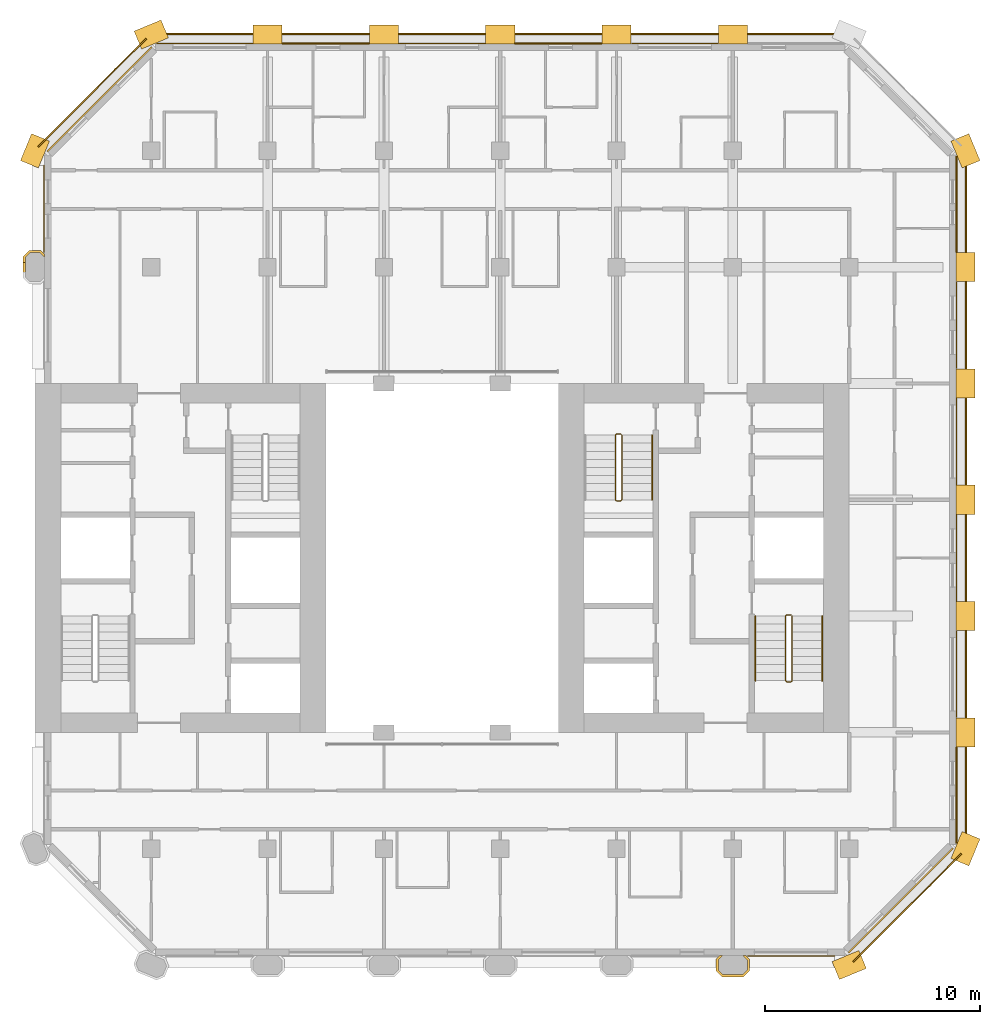
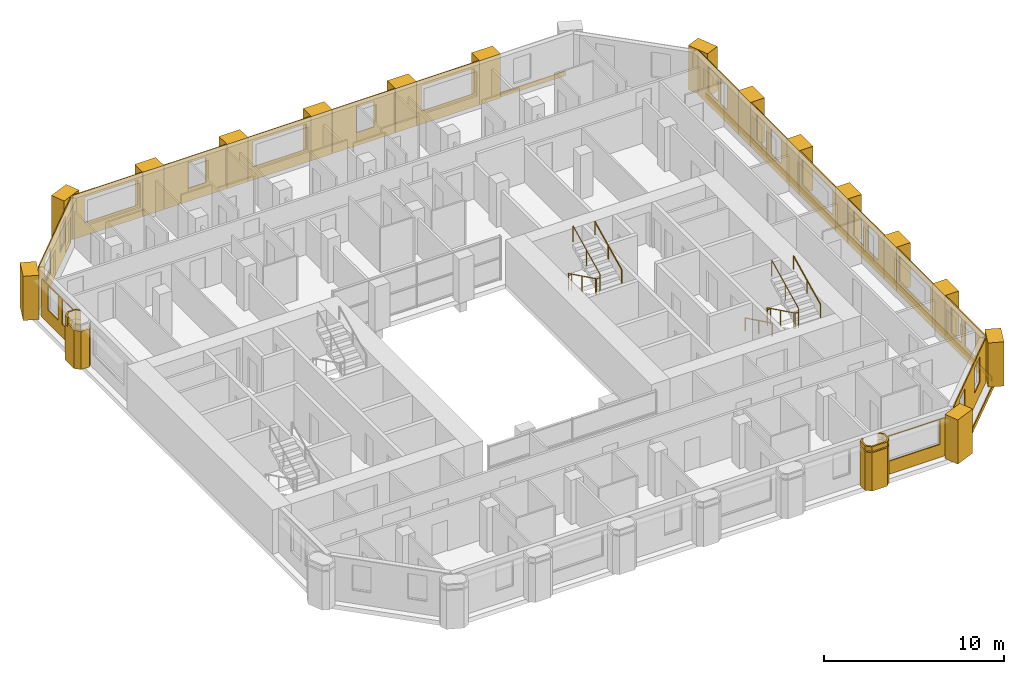
# One storey, part 12 of 13: 38 coverings, 5 railings.
"""IFC4 building model written with IfcOpenShell, lengths in metres."""

from ifc_helpers import new_model, si_unit, direction, frame, frame_2d, origin, origin_2d, place, context, subcontext, project, spatial, polyline, rectangle, circle, outline, extrude, material, layer, layer_set, type_object, element, save


model = new_model("IFC4")

# Units and contexts
model_context = context("Model", 3, precision=1e-05, world=origin(), true_north=direction((0.0, 1.0)))
body_context = subcontext(model_context, "Body", "Model", "MODEL_VIEW")
ifc_project = project(units=[si_unit("LENGTHUNIT", "METRE"), si_unit("AREAUNIT", "SQUARE_METRE"), si_unit("VOLUMEUNIT", "CUBIC_METRE"), si_unit("PLANEANGLEUNIT", "RADIAN"), si_unit("MASSUNIT", "GRAM", prefix="KILO")], contexts=[model_context])

# Site, building, storey
site_placement = place(None, origin())
site = spatial("IfcSite", under=ifc_project, at=site_placement, CompositionType="ELEMENT")
building_placement = place(site_placement, origin())
building = spatial("IfcBuilding", under=site, at=building_placement, Name="Tabaq Tower and Sports Hall", CompositionType="ELEMENT")
storey_placement = place(building_placement, frame((0.0, 0.0, 203.800048828125)))
storey = spatial("IfcBuildingStorey", under=building, at=storey_placement, Name="L50", CompositionType="ELEMENT", Elevation=203.800048828125)

# Coverings
ifc_material_1 = material(Name="Precast concrete C60/75", Category="concrete")
ifc_layer_1 = layer(ifc_material_1, 0.10009765625)
ifc_layer_set_1 = layer_set([ifc_layer_1], Name="Column cladding 100")
covering_type_1 = type_object("IfcCoveringType", Name="Column cladding 100", PredefinedType="CLADDING", material=ifc_layer_set_1)
covering_1_placement = place(storey_placement, origin())
element("IfcCovering", 1, at=covering_1_placement, inside=storey, type_object=covering_type_1, Name="Column cladding L50 PC-2H-H2", PredefinedType="CLADDING", context=body_context, shape_type="SweptSolid", body=[
    extrude(outline(polyline([(5.1337890625, 37.025390625), (4.850341796875, 37.30859375), (4.850341796875, 38.291259765625), (5.1337890625, 38.57470703125), (5.666259765625, 38.57470703125), (5.849609375, 38.391357421875), (5.849609375, 38.250732421875), (5.625244140625, 38.475341796875), (5.1748046875, 38.475341796875), (4.94970703125, 38.250244140625), (4.94970703125, 37.349853515625), (5.1748046875, 37.124755859375), (5.625244140625, 37.124755859375), (5.849609375, 37.349365234375), (5.849609375, 37.208740234375), (5.666259765625, 37.025390625), (5.1337890625, 37.025390625)])), origin(), (0.0, 0.0, 1.0), 2.599853515625),
])
covering_2_placement = place(storey_placement, frame((0.0, 0.0, 2.39990234375)))
element("IfcCovering", 2, at=covering_2_placement, inside=storey, type_object=covering_type_1, Name="Column cladding L50 PC-2H-H2 head 2", PredefinedType="CLADDING", context=body_context, shape_type="SweptSolid", body=[
    extrude(outline(polyline([(4.850341796875, 38.291259765625), (5.1337890625, 38.57470703125), (5.666259765625, 38.57470703125), (5.849609375, 38.391357421875), (5.849609375, 38.250732421875), (5.625244140625, 38.475341796875), (5.1748046875, 38.475341796875), (4.94970703125, 38.250244140625), (4.94970703125, 38.025390625), (4.850341796875, 38.025390625), (4.850341796875, 38.291259765625)])), origin(), (0.0, 0.0, 1.0), 0.60009765625),
])
covering_3_placement = place(storey_placement, origin())
element("IfcCovering", 3, at=covering_3_placement, inside=storey, type_object=covering_type_1, Name="Column cladding L50 PC-8B-H2", PredefinedType="CLADDING", context=body_context, shape_type="SweptSolid", body=[
    extrude(outline(polyline([(37.025390625, 5.666259765625), (37.208740234375, 5.849609375), (37.349365234375, 5.849609375), (37.124755859375, 5.625244140625), (37.124755859375, 5.1748046875), (37.349853515625, 4.94970703125), (38.250244140625, 4.94970703125), (38.475341796875, 5.1748046875), (38.475341796875, 5.625244140625), (38.250732421875, 5.849609375), (38.391357421875, 5.849609375), (38.57470703125, 5.666259765625), (38.57470703125, 5.1337890625), (38.291259765625, 4.850341796875), (37.30859375, 4.850341796875), (37.025390625, 5.1337890625), (37.025390625, 5.666259765625)])), origin(), (0.0, 0.0, 1.0), 2.599853515625),
])
covering_4_placement = place(storey_placement, frame((0.0, 0.0, 2.699951171875)))
element("IfcCovering", 4, at=covering_4_placement, inside=storey, type_object=covering_type_1, Name="Column cladding L50 PC-8B-H2 2", PredefinedType="CLADDING", context=body_context, shape_type="SweptSolid", body=[
    extrude(outline(polyline([(37.025390625, 5.666259765625), (37.208740234375, 5.849609375), (37.349365234375, 5.849609375), (37.124755859375, 5.625244140625), (37.124755859375, 5.1748046875), (37.349853515625, 4.94970703125), (38.250244140625, 4.94970703125), (38.475341796875, 5.1748046875), (38.475341796875, 5.625244140625), (38.250732421875, 5.849609375), (38.391357421875, 5.849609375), (38.57470703125, 5.666259765625), (38.57470703125, 5.1337890625), (38.291259765625, 4.850341796875), (37.30859375, 4.850341796875), (37.025390625, 5.1337890625), (37.025390625, 5.666259765625)])), origin(), (0.0, 0.0, 1.0), 0.300048828125),
])
ifc_material_2 = material(Name="Precast concrete C60/75", Category="concrete")
ifc_layer_2 = layer(ifc_material_2, 0.06005859375)
ifc_layer_set_2 = layer_set([ifc_layer_2], Name="Edge beam cladding 60")
covering_type_2 = type_object("IfcCoveringType", Name="Edge beam cladding 60", PredefinedType="CLADDING", material=ifc_layer_set_2)
covering_5_placement = place(storey_placement, frame((43.39794921875, 5.5556640625, -0.300048828125), z_axis=(0.0, 0.0, 1.0), x_axis=(0.707124002701, 0.707089559252, 0.0)))
element("IfcCovering", 5, at=covering_5_placement, inside=storey, type_object=covering_type_2, Name="Edge beam cladding L50 1", PredefinedType="CLADDING", context=body_context, shape_type="SweptSolid", body=[
    extrude(rectangle(XDim=7.088134765625, YDim=0.06005859375, at=frame_2d((3.5439453125, 0.0))), origin(), (0.0, 0.0, 1.0), 0.300048828125),
])
for number, where, z_axis, x_axis, name in (
    (6, (48.6298828125, 11.0986328125, -0.300048828125), (0.0, 0.0, 1.0), (0.0, 1.0, 0.0), "Edge beam cladding L50 2"),
    (7, (42.9013671875, 48.6298828125, -0.300048828125), (0.0, 0.0, 1.0), (-1.0, 0.0, 0.0), "Edge beam cladding L50 4"),
):
    element("IfcCovering", number, at=place(storey_placement, frame(where, z_axis=z_axis, x_axis=x_axis)), inside=storey, type_object=covering_type_2, Name=name, PredefinedType="CLADDING", context=body_context, shape_type="SweptSolid", body=[
        extrude(rectangle(XDim=31.802734375, YDim=0.06005859375, at=frame_2d((15.9013671875, 0.0))), origin(), (0.0, 0.0, 1.0), 0.300048828125),
    ])
covering_6_placement = place(storey_placement, frame((10.567626953125, 48.41015625, -0.300048828125), z_axis=(0.0, 0.0, 1.0), x_axis=(-0.707089559252, -0.707124002701, 0.0)))
element("IfcCovering", 8, at=covering_6_placement, inside=storey, type_object=covering_type_2, Name="Edge beam cladding L50 5", PredefinedType="CLADDING", context=body_context, shape_type="SweptSolid", body=[
    extrude(rectangle(XDim=7.088134765625, YDim=0.06005859375, at=frame_2d((3.5439453125, 0.0))), origin(), (0.0, 0.0, 1.0), 0.300048828125),
])
ifc_material_3 = material(Name="White precast concrete C60/75", Category="concrete")
covering_type_3 = type_object("IfcCoveringType", Name="Pier cladding hung 1350x900", PredefinedType="CLADDING", material=ifc_material_3)
for number, where, z_axis, x_axis, name in (
    (9, (5.658203125, 43.82373046875, 0.0), (0.0, 0.0, 1.0), (-0.382649923473, -0.923893411637, 0.0), "Hung pier cladding 1/8"),
    (10, (11.423583984375, 48.8583984375, 0.0), (0.0, 0.0, 1.0), (-0.923893411637, -0.382649923473, 0.0), "Hung pier cladding 2/9"),
    (11, (16.875, 48.60009765625, 0.0), (0.0, 0.0, 1.0), (-1.0, 0.0, 0.0), "Hung pier cladding 3/9"),
):
    element("IfcCovering", number, at=place(storey_placement, frame(where, z_axis=z_axis, x_axis=x_axis)), inside=storey, type_object=covering_type_3, Name=name, PredefinedType="CLADDING", context=body_context, shape_type="SweptSolid", body=[
        extrude(rectangle(XDim=1.35009765625, YDim=0.89990234375, at=frame_2d((0.675048828125, 0.0))), origin(), (0.0, 0.0, 1.0), 3.0),
    ])
covering_7_placement = place(storey_placement, frame((22.27490234375, 48.60009765625, 0.0), z_axis=(0.0, 0.0, 1.0), x_axis=(-1.0, 0.0, 0.0)))
element("IfcCovering", 12, at=covering_7_placement, inside=storey, type_object=covering_type_3, Name="Hung pier cladding 4/9", PredefinedType="CLADDING", context=body_context, shape_type="SweptSolid", body=[
    extrude(rectangle(XDim=1.349853515625, YDim=0.89990234375, at=frame_2d((0.6748046875, 0.0))), origin(), (0.0, 0.0, 1.0), 3.0),
])
covering_8_placement = place(storey_placement, frame((27.675048828125, 48.60009765625, 0.0), z_axis=(0.0, 0.0, 1.0), x_axis=(-1.0, 0.0, 0.0)))
element("IfcCovering", 13, at=covering_8_placement, inside=storey, type_object=covering_type_3, Name="Hung pier cladding 5/9", PredefinedType="CLADDING", context=body_context, shape_type="SweptSolid", body=[
    extrude(rectangle(XDim=1.35009765625, YDim=0.89990234375, at=frame_2d((0.675048828125, 0.0))), origin(), (0.0, 0.0, 1.0), 3.0),
])
covering_9_placement = place(storey_placement, frame((33.074951171875, 48.60009765625, 0.0), z_axis=(0.0, 0.0, 1.0), x_axis=(-1.0, 0.0, 0.0)))
element("IfcCovering", 14, at=covering_9_placement, inside=storey, type_object=covering_type_3, Name="Hung pier cladding 6/9", PredefinedType="CLADDING", context=body_context, shape_type="SweptSolid", body=[
    extrude(rectangle(XDim=1.349853515625, YDim=0.89990234375, at=frame_2d((0.6748046875, 0.0))), origin(), (0.0, 0.0, 1.0), 3.0),
])
for number, where, z_axis, x_axis, name in (
    (15, (38.47509765625, 48.60009765625, 0.0), (0.0, 0.0, 1.0), (-1.0, 0.0, 0.0), "Hung pier cladding 7/9"),
    (16, (42.576416015625, 5.1416015625, 0.0), (0.0, 0.0, 1.0), (0.923893411637, 0.382649923473, 0.0), "Hung pier cladding 8/1"),
    (17, (48.341796875, 10.17626953125, 0.0), (0.0, 0.0, 1.0), (0.382649923473, 0.923893411637, 0.0), "Hung pier cladding 9/2"),
    (18, (48.60009765625, 15.52490234375, 0.0), (0.0, 0.0, 1.0), (0.0, 1.0, 0.0), "Hung pier cladding 9/3"),
):
    element("IfcCovering", number, at=place(storey_placement, frame(where, z_axis=z_axis, x_axis=x_axis)), inside=storey, type_object=covering_type_3, Name=name, PredefinedType="CLADDING", context=body_context, shape_type="SweptSolid", body=[
        extrude(rectangle(XDim=1.35009765625, YDim=0.89990234375, at=frame_2d((0.675048828125, 0.0))), origin(), (0.0, 0.0, 1.0), 3.0),
    ])
covering_10_placement = place(storey_placement, frame((48.60009765625, 20.925048828125, 0.0), z_axis=(0.0, 0.0, 1.0), x_axis=(0.0, 1.0, 0.0)))
element("IfcCovering", 19, at=covering_10_placement, inside=storey, type_object=covering_type_3, Name="Hung pier cladding 9/4", PredefinedType="CLADDING", context=body_context, shape_type="SweptSolid", body=[
    extrude(rectangle(XDim=1.349853515625, YDim=0.89990234375, at=frame_2d((0.6748046875, 0.0))), origin(), (0.0, 0.0, 1.0), 3.0),
])
covering_11_placement = place(storey_placement, frame((48.60009765625, 26.324951171875, 0.0), z_axis=(0.0, 0.0, 1.0), x_axis=(0.0, 1.0, 0.0)))
element("IfcCovering", 20, at=covering_11_placement, inside=storey, type_object=covering_type_3, Name="Hung pier cladding 9/5", PredefinedType="CLADDING", context=body_context, shape_type="SweptSolid", body=[
    extrude(rectangle(XDim=1.35009765625, YDim=0.89990234375, at=frame_2d((0.675048828125, 0.0))), origin(), (0.0, 0.0, 1.0), 3.0),
])
covering_12_placement = place(storey_placement, frame((48.60009765625, 31.72509765625, 0.0), z_axis=(0.0, 0.0, 1.0), x_axis=(0.0, 1.0, 0.0)))
element("IfcCovering", 21, at=covering_12_placement, inside=storey, type_object=covering_type_3, Name="Hung pier cladding 9/6", PredefinedType="CLADDING", context=body_context, shape_type="SweptSolid", body=[
    extrude(rectangle(XDim=1.349853515625, YDim=0.89990234375, at=frame_2d((0.6748046875, 0.0))), origin(), (0.0, 0.0, 1.0), 3.0),
])
for number, where, z_axis, x_axis, name in (
    (22, (48.60009765625, 37.125, 0.0), (0.0, 0.0, 1.0), (0.0, 1.0, 0.0), "Hung pier cladding 9/7"),
    (23, (48.8583984375, 42.576416015625, 0.0), (0.0, 0.0, 1.0), (-0.382649923473, 0.923893411637, 0.0), "Hung pier cladding 9/8"),
):
    element("IfcCovering", number, at=place(storey_placement, frame(where, z_axis=z_axis, x_axis=x_axis)), inside=storey, type_object=covering_type_3, Name=name, PredefinedType="CLADDING", context=body_context, shape_type="SweptSolid", body=[
        extrude(rectangle(XDim=1.35009765625, YDim=0.89990234375, at=frame_2d((0.675048828125, 0.0))), origin(), (0.0, 0.0, 1.0), 3.0),
    ])

# Railings
ifc_material_4 = material(Name="Stainless steel", Category="steel")
railing_type_1 = type_object("IfcRailingType", Name="Stair guard", PredefinedType="GUARDRAIL", material=ifc_material_4)
railing_1_placement = place(storey_placement, frame((40.5, 21.64990234375, 0.0)))
element("IfcRailing", 24, at=railing_1_placement, inside=storey, type_object=railing_type_1, Name="L50 ST3 stair guard 1", PredefinedType="GUARDRAIL", context=body_context, shape_type="SweptSolid", body=[
    extrude(circle(Radius=0.02392578125, at=origin_2d()), frame((0.0, 0.0, 1.076171875), z_axis=(-1.0, 0.0, 0.0), x_axis=(0.0, -1.0, 0.0)), (0.0, 0.0, 1.0), 0.199951171875),
    extrude(circle(Radius=0.02392578125, at=origin_2d()), frame((-0.199951171875, 0.0, 1.076171875), z_axis=(-0.254733673405, -0.25349107012, 0.933195066962), x_axis=(0.705375805398, -0.708833529934, 0.0)), (0.0, 0.0, 1.0), 0.196533203125),
    extrude(circle(Radius=0.02392578125, at=origin_2d()), frame((-0.25, -0.0498046875, 1.25927734375), z_axis=(0.0, -0.898397823093, 0.439182594671), x_axis=(1.0, 0.0, 0.0)), (0.0, 0.0, 1.0), 3.33935546875),
    extrude(circle(Radius=0.02392578125, at=origin_2d()), frame((-0.25, -3.0498046875, 2.72607421875), z_axis=(0.707106781187, -0.707106781187, 0.0), x_axis=(0.707106781187, 0.707106781187, 0.0)), (0.0, 0.0, 1.0), 0.07080078125),
    extrude(circle(Radius=0.02392578125, at=origin_2d()), frame((-0.199951171875, -3.099853515625, 2.72607421875), z_axis=(1.0, 0.0, 0.0), x_axis=(0.0, 1.0, 0.0)), (0.0, 0.0, 1.0), 0.199951171875),
    extrude(circle(Radius=0.02392578125, at=origin_2d()), frame((0.0, -3.099853515625, 2.72607421875), z_axis=(0.254653276557, 0.254653276557, 0.932900539971), x_axis=(-0.707106781187, 0.707106781187, 0.0)), (0.0, 0.0, 1.0), 0.196533203125),
    extrude(circle(Radius=0.02392578125, at=origin_2d()), frame((0.050048828125, -3.0498046875, 2.9091796875), z_axis=(0.0, 0.898368975038, 0.439241601728), x_axis=(-1.0, 0.0, 0.0)), (0.0, 0.0, 1.0), 3.33935546875),
    extrude(circle(Radius=0.02099609375, at=origin_2d()), origin(), (0.0, 0.0, 1.0), 1.052001953125),
    extrude(circle(Radius=0.02099609375, at=origin_2d()), frame((-0.199951171875, 0.0, 0.0)), (0.0, 0.0, 1.0), 1.052001953125),
    extrude(circle(Radius=0.02099609375, at=origin_2d()), frame((-0.25, -0.0498046875, 0.183349609375)), (0.0, 0.0, 1.0), 1.052001953125),
    extrude(circle(Radius=0.02099609375, at=origin_2d()), frame((-0.25, -1.5498046875, 0.91650390625)), (0.0, 0.0, 1.0), 1.052001953125),
    extrude(circle(Radius=0.02099609375, at=origin_2d()), frame((-0.25, -3.0498046875, 1.64990234375)), (0.0, 0.0, 1.0), 1.052001953125),
    extrude(circle(Radius=0.02099609375, at=origin_2d()), frame((-0.199951171875, -3.099853515625, 1.64990234375)), (0.0, 0.0, 1.0), 1.052001953125),
    extrude(circle(Radius=0.02099609375, at=origin_2d()), frame((0.0, -3.099853515625, 1.64990234375)), (0.0, 0.0, 1.0), 1.052001953125),
    extrude(circle(Radius=0.02099609375, at=origin_2d()), frame((0.050048828125, -3.0498046875, 1.833251953125)), (0.0, 0.0, 1.0), 1.052001953125),
    extrude(circle(Radius=0.02099609375, at=origin_2d()), frame((0.050048828125, -1.5498046875, 2.566650390625)), (0.0, 0.0, 1.0), 1.052001953125),
    extrude(circle(Radius=0.02099609375, at=origin_2d()), frame((0.050048828125, -0.0498046875, 3.300048828125)), (0.0, 0.0, 1.0), 1.052001953125),
])
railing_2_placement = place(storey_placement, frame((32.60009765625, 30.050048828125, 0.0)))
element("IfcRailing", 25, at=railing_2_placement, inside=storey, type_object=railing_type_1, Name="L50 ST4 stair guard 1", PredefinedType="GUARDRAIL", context=body_context, shape_type="SweptSolid", body=[
    extrude(circle(Radius=0.02392578125, at=origin_2d()), frame((0.0, 0.0, 1.076171875), z_axis=(-1.0, 0.0, 0.0), x_axis=(0.0, -1.0, 0.0)), (0.0, 0.0, 1.0), 0.2001953125),
    extrude(circle(Radius=0.02392578125, at=origin_2d()), frame((-0.2001953125, 0.0, 1.076171875), z_axis=(-0.25349107012, -0.254733673405, 0.933195066962), x_axis=(0.708833529934, -0.705375805398, 0.0)), (0.0, 0.0, 1.0), 0.196533203125),
    extrude(circle(Radius=0.02392578125, at=origin_2d()), frame((-0.25, -0.050048828125, 1.25927734375), z_axis=(0.0, -0.898397823093, 0.439182594671), x_axis=(1.0, 0.0, 0.0)), (0.0, 0.0, 1.0), 3.33935546875),
    extrude(circle(Radius=0.02392578125, at=origin_2d()), frame((-0.25, -3.050048828125, 2.72607421875), z_axis=(0.705375805398, -0.708833529934, 0.0), x_axis=(0.708833529934, 0.705375805398, 0.0)), (0.0, 0.0, 1.0), 0.070556640625),
    extrude(circle(Radius=0.02392578125, at=origin_2d()), frame((-0.2001953125, -3.10009765625, 2.72607421875), z_axis=(1.0, 0.0, 0.0), x_axis=(0.0, 1.0, 0.0)), (0.0, 0.0, 1.0), 0.2001953125),
    extrude(circle(Radius=0.02392578125, at=origin_2d()), frame((0.0, -3.10009765625, 2.72607421875), z_axis=(0.25349107012, 0.254733673405, 0.933195066962), x_axis=(-0.708833529934, 0.705375805398, 0.0)), (0.0, 0.0, 1.0), 0.196533203125),
    extrude(circle(Radius=0.02392578125, at=origin_2d()), frame((0.0498046875, -3.050048828125, 2.9091796875), z_axis=(0.0, 0.898368975038, 0.439241601728), x_axis=(-1.0, 0.0, 0.0)), (0.0, 0.0, 1.0), 3.33935546875),
    extrude(circle(Radius=0.02099609375, at=origin_2d()), origin(), (0.0, 0.0, 1.0), 1.052001953125),
    extrude(circle(Radius=0.02099609375, at=origin_2d()), frame((-0.2001953125, 0.0, 0.0)), (0.0, 0.0, 1.0), 1.052001953125),
    extrude(circle(Radius=0.02099609375, at=origin_2d()), frame((-0.25, -0.050048828125, 0.183349609375)), (0.0, 0.0, 1.0), 1.052001953125),
    extrude(circle(Radius=0.02099609375, at=origin_2d()), frame((-0.25, -1.550048828125, 0.91650390625)), (0.0, 0.0, 1.0), 1.052001953125),
    extrude(circle(Radius=0.02099609375, at=origin_2d()), frame((-0.25, -3.050048828125, 1.64990234375)), (0.0, 0.0, 1.0), 1.052001953125),
    extrude(circle(Radius=0.02099609375, at=origin_2d()), frame((-0.2001953125, -3.10009765625, 1.64990234375)), (0.0, 0.0, 1.0), 1.052001953125),
    extrude(circle(Radius=0.02099609375, at=origin_2d()), frame((0.0, -3.10009765625, 1.64990234375)), (0.0, 0.0, 1.0), 1.052001953125),
    extrude(circle(Radius=0.02099609375, at=origin_2d()), frame((0.0498046875, -3.050048828125, 1.833251953125)), (0.0, 0.0, 1.0), 1.052001953125),
    extrude(circle(Radius=0.02099609375, at=origin_2d()), frame((0.0498046875, -1.550048828125, 2.566650390625)), (0.0, 0.0, 1.0), 1.052001953125),
    extrude(circle(Radius=0.02099609375, at=origin_2d()), frame((0.0498046875, -0.050048828125, 3.300048828125)), (0.0, 0.0, 1.0), 1.052001953125),
])
ifc_material_5 = material(Name="Stainless steel", Category="steel")
railing_type_2 = type_object("IfcRailingType", Name="Stair handrail", PredefinedType="HANDRAIL", material=ifc_material_5)
railing_3_placement = place(storey_placement, frame((38.85009765625, 21.60009765625, 0.183349609375)))
element("IfcRailing", 26, at=railing_3_placement, inside=storey, type_object=railing_type_2, Name="L50 ST3 stair handrail 1", PredefinedType="HANDRAIL", context=body_context, shape_type="SweptSolid", body=[
    extrude(circle(Radius=0.02392578125, at=origin_2d()), frame((0.0, 0.0, 0.8759765625), z_axis=(0.0, -0.898397823093, 0.439182594671), x_axis=(1.0, 0.0, 0.0)), (0.0, 0.0, 1.0), 3.33935546875),
    extrude(circle(Radius=0.02099609375, at=origin_2d()), origin(), (0.0, 0.0, 1.0), 0.851806640625),
    extrude(circle(Radius=0.02099609375, at=origin_2d()), frame((0.0, -1.5, 0.7333984375)), (0.0, 0.0, 1.0), 0.851806640625),
    extrude(circle(Radius=0.02099609375, at=origin_2d()), frame((0.0, -3.0, 1.466552734375)), (0.0, 0.0, 1.0), 0.851806640625),
])
for number, where, name in (
    (27, (41.949951171875, 18.60009765625, 1.833251953125), "L50 ST3 stair handrail 2"),
    (28, (34.050048828125, 27.0, 1.833251953125), "L50 ST4 stair handrail 2"),
):
    element("IfcRailing", number, at=place(storey_placement, frame(where)), inside=storey, type_object=railing_type_2, Name=name, PredefinedType="HANDRAIL", context=body_context, shape_type="SweptSolid", body=[
        extrude(circle(Radius=0.02392578125, at=origin_2d()), frame((0.0, 0.0, 0.8759765625), z_axis=(0.0, 0.898368975038, 0.439241601728), x_axis=(-1.0, 0.0, 0.0)), (0.0, 0.0, 1.0), 3.33935546875),
        extrude(circle(Radius=0.02099609375, at=origin_2d()), origin(), (0.0, 0.0, 1.0), 0.851806640625),
        extrude(circle(Radius=0.02099609375, at=origin_2d()), frame((0.0, 1.5, 0.7333984375)), (0.0, 0.0, 1.0), 0.851806640625),
        extrude(circle(Radius=0.02099609375, at=origin_2d()), frame((0.0, 3.0, 1.466796875)), (0.0, 0.0, 1.0), 0.851806640625),
    ])

# Coverings
ifc_material_6 = material(Name="Precast concrete C60/75", Category="concrete")
ifc_layer_3 = layer(ifc_material_6, 0.06005859375)
ifc_layer_set_3 = layer_set([ifc_layer_3], Name="White precast cladding panel 60 C60/75")
covering_type_4 = type_object("IfcCoveringType", Name="White precast cladding panel 60 C60/75", PredefinedType="CLADDING", material=ifc_layer_set_3)
covering_13_placement = place(storey_placement, frame((38.485107421875, 5.820068359375, 0.0), z_axis=(0.0, 0.0, 1.0), x_axis=(1.0, 0.0, 0.0)))
element("IfcCovering", 29, at=covering_13_placement, inside=storey, type_object=covering_type_4, Name="White precast cladding panel L50 wall00 6", PredefinedType="CLADDING", context=body_context, shape_type="SweptSolid", body=[
    extrude(outline(polyline([(0.0, 0.0), (4.0498046875, 0.0), (4.0498046875, 2.58984375), (0.0, 2.58984375), (0.0, 0.0)]), holes=[polyline([(3.72509765625, 0.889892578125), (0.304931640625, 0.889892578125), (0.304931640625, 2.56005859375), (3.72509765625, 2.56005859375), (3.72509765625, 0.889892578125)])]), frame((0.0, 0.030029296875, 0.0), z_axis=(0.0, -1.0, 0.0), x_axis=(1.0, 0.0, 0.0)), (0.0, 0.0, 1.0), 0.06005859375),
])
covering_14_placement = place(storey_placement, frame((43.177734375, 5.9716796875, 0.0), z_axis=(0.0, 0.0, 1.0), x_axis=(0.707106781187, 0.707106781187, 0.0)))
element("IfcCovering", 30, at=covering_14_placement, inside=storey, type_object=covering_type_4, Name="White precast cladding panel L50 wall01", PredefinedType="CLADDING", context=body_context, shape_type="SweptSolid", body=[
    extrude(outline(polyline([(0.0, 0.0), (6.85986328125, 0.0), (6.85986328125, 3.0), (0.0, 3.0), (0.0, 0.0)]), holes=[polyline([(1.269775390625, 2.60986328125), (2.389892578125, 2.60986328125), (2.389892578125, 0.889892578125), (1.269775390625, 0.889892578125), (1.269775390625, 2.60986328125)]), polyline([(4.4697265625, 2.60986328125), (5.58984375, 2.60986328125), (5.58984375, 0.889892578125), (4.4697265625, 0.889892578125), (4.4697265625, 2.60986328125)])]), frame((0.0, 0.030029296875, 0.0), z_axis=(0.0, -1.0, 0.0), x_axis=(1.0, 0.0, 0.0)), (0.0, 0.0, 1.0), 0.06005859375),
])
covering_15_placement = place(storey_placement, frame((48.179931640625, 11.043212890625, 0.0), z_axis=(0.0, 0.0, 1.0), x_axis=(0.0, 1.0, 0.0)))
element("IfcCovering", 31, at=covering_15_placement, inside=storey, type_object=covering_type_4, Name="White precast cladding panel L50 wall02", PredefinedType="CLADDING", context=body_context, shape_type="SweptSolid", body=[
    extrude(outline(polyline([(0.0, 0.0), (4.4716796875, 0.0), (4.4716796875, 3.0), (0.0, 3.0), (0.0, 0.0)]), holes=[polyline([(1.096923828125, 2.60986328125), (2.216796875, 2.60986328125), (2.216796875, 0.889892578125), (1.096923828125, 0.889892578125), (1.096923828125, 2.60986328125)]), polyline([(2.69677734375, 2.60986328125), (3.81689453125, 2.60986328125), (3.81689453125, 0.889892578125), (2.69677734375, 0.889892578125), (2.69677734375, 2.60986328125)])]), frame((0.0, 0.030029296875, 0.0), z_axis=(0.0, -1.0, 0.0), x_axis=(1.0, 0.0, 0.0)), (0.0, 0.0, 1.0), 0.06005859375),
])
covering_16_placement = place(storey_placement, frame((48.179931640625, 16.885009765625, 0.0), z_axis=(0.0, 0.0, 1.0), x_axis=(0.0, 1.0, 0.0)))
element("IfcCovering", 32, at=covering_16_placement, inside=storey, type_object=covering_type_4, Name="White precast cladding panel L50 wall02 2", PredefinedType="CLADDING", context=body_context, shape_type="SweptSolid", body=[
    extrude(outline(polyline([(0.0, 0.0), (4.030029296875, 0.0), (4.030029296875, 3.0), (0.0, 3.0), (0.0, 0.0)]), holes=[polyline([(0.304931640625, 0.889892578125), (0.304931640625, 2.60986328125), (3.72509765625, 2.60986328125), (3.72509765625, 0.889892578125), (0.304931640625, 0.889892578125)])]), frame((0.0, 0.030029296875, 0.0), z_axis=(0.0, -1.0, 0.0), x_axis=(1.0, 0.0, 0.0)), (0.0, 0.0, 1.0), 0.06005859375),
])
covering_17_placement = place(storey_placement, frame((48.179931640625, 22.284912109375, 0.0), z_axis=(0.0, 0.0, 1.0), x_axis=(0.0, 1.0, 0.0)))
element("IfcCovering", 33, at=covering_17_placement, inside=storey, type_object=covering_type_4, Name="White precast cladding panel L50 wall02 3", PredefinedType="CLADDING", context=body_context, shape_type="SweptSolid", body=[
    extrude(outline(polyline([(0.0, 0.0), (4.030029296875, 0.0), (4.030029296875, 3.0), (0.0, 3.0), (0.0, 0.0)]), holes=[polyline([(0.655029296875, 2.60986328125), (1.77490234375, 2.60986328125), (1.77490234375, 0.889892578125), (0.655029296875, 0.889892578125), (0.655029296875, 2.60986328125)]), polyline([(2.2548828125, 2.60986328125), (3.375, 2.60986328125), (3.375, 0.889892578125), (2.2548828125, 0.889892578125), (2.2548828125, 2.60986328125)])]), frame((0.0, 0.030029296875, 0.0), z_axis=(0.0, -1.0, 0.0), x_axis=(1.0, 0.0, 0.0)), (0.0, 0.0, 1.0), 0.06005859375),
])
covering_18_placement = place(storey_placement, frame((48.179931640625, 27.68505859375, 0.0), z_axis=(0.0, 0.0, 1.0), x_axis=(0.0, 1.0, 0.0)))
element("IfcCovering", 34, at=covering_18_placement, inside=storey, type_object=covering_type_4, Name="White precast cladding panel L50 wall02 4", PredefinedType="CLADDING", context=body_context, shape_type="SweptSolid", body=[
    extrude(outline(polyline([(0.0, 0.0), (4.030029296875, 0.0), (4.030029296875, 3.0), (0.0, 3.0), (0.0, 0.0)]), holes=[polyline([(0.304931640625, 0.889892578125), (0.304931640625, 2.60986328125), (3.72509765625, 2.60986328125), (3.72509765625, 0.889892578125), (0.304931640625, 0.889892578125)])]), frame((0.0, 0.030029296875, 0.0), z_axis=(0.0, -1.0, 0.0), x_axis=(1.0, 0.0, 0.0)), (0.0, 0.0, 1.0), 0.06005859375),
])
covering_19_placement = place(storey_placement, frame((48.179931640625, 33.0849609375, 0.0), z_axis=(0.0, 0.0, 1.0), x_axis=(0.0, 1.0, 0.0)))
element("IfcCovering", 35, at=covering_19_placement, inside=storey, type_object=covering_type_4, Name="White precast cladding panel L50 wall02 5", PredefinedType="CLADDING", context=body_context, shape_type="SweptSolid", body=[
    extrude(outline(polyline([(0.0, 0.0), (4.030029296875, 0.0), (4.030029296875, 3.0), (0.0, 3.0), (0.0, 0.0)]), holes=[polyline([(0.655029296875, 2.60986328125), (1.77490234375, 2.60986328125), (1.77490234375, 0.889892578125), (0.655029296875, 0.889892578125), (0.655029296875, 2.60986328125)]), polyline([(2.2548828125, 2.60986328125), (3.375, 2.60986328125), (3.375, 0.889892578125), (2.2548828125, 0.889892578125), (2.2548828125, 2.60986328125)])]), frame((0.0, 0.030029296875, 0.0), z_axis=(0.0, -1.0, 0.0), x_axis=(1.0, 0.0, 0.0)), (0.0, 0.0, 1.0), 0.06005859375),
])
covering_20_placement = place(storey_placement, frame((48.179931640625, 38.485107421875, 0.0), z_axis=(0.0, 0.0, 1.0), x_axis=(0.0, 1.0, 0.0)))
element("IfcCovering", 36, at=covering_20_placement, inside=storey, type_object=covering_type_4, Name="White precast cladding panel L50 wall02 6", PredefinedType="CLADDING", context=body_context, shape_type="SweptSolid", body=[
    extrude(outline(polyline([(0.0, 0.0), (4.4716796875, 0.0), (4.4716796875, 3.0), (0.0, 3.0), (0.0, 0.0)]), holes=[polyline([(1.280029296875, 2.60986328125), (1.949951171875, 2.60986328125), (1.949951171875, 0.889892578125), (1.280029296875, 0.889892578125), (1.280029296875, 2.60986328125)]), polyline([(2.2548828125, 2.60986328125), (3.375, 2.60986328125), (3.375, 0.889892578125), (2.2548828125, 0.889892578125), (2.2548828125, 2.60986328125)])]), frame((0.0, 0.030029296875, 0.0), z_axis=(0.0, -1.0, 0.0), x_axis=(1.0, 0.0, 0.0)), (0.0, 0.0, 1.0), 0.06005859375),
])
covering_21_placement = place(storey_placement, frame((37.114990234375, 48.179931640625, 0.0), z_axis=(0.0, 0.0, 1.0), x_axis=(-1.0, 0.0, 0.0)))
element("IfcCovering", 37, at=covering_21_placement, inside=storey, type_object=covering_type_4, Name="White precast cladding panel L50 wall04 2", PredefinedType="CLADDING", context=body_context, shape_type="SweptSolid", body=[
    extrude(outline(polyline([(0.0, 0.0), (4.030029296875, 0.0), (4.030029296875, 3.0), (0.0, 3.0), (0.0, 0.0)]), holes=[polyline([(0.304931640625, 0.889892578125), (0.304931640625, 2.60986328125), (3.72509765625, 2.60986328125), (3.72509765625, 0.889892578125), (0.304931640625, 0.889892578125)])]), frame((0.0, 0.030029296875, 0.0), z_axis=(0.0, -1.0, 0.0), x_axis=(1.0, 0.0, 0.0)), (0.0, 0.0, 1.0), 0.06005859375),
])
covering_22_placement = place(storey_placement, frame((31.715087890625, 48.179931640625, 0.0), z_axis=(0.0, 0.0, 1.0), x_axis=(-1.0, 0.0, 0.0)))
element("IfcCovering", 38, at=covering_22_placement, inside=storey, type_object=covering_type_4, Name="White precast cladding panel L50 wall04 3", PredefinedType="CLADDING", context=body_context, shape_type="SweptSolid", body=[
    extrude(outline(polyline([(0.0, 0.0), (4.030029296875, 0.0), (4.030029296875, 3.0), (0.0, 3.0), (0.0, 0.0)]), holes=[polyline([(1.35498046875, 0.889892578125), (1.35498046875, 2.60986328125), (2.47509765625, 2.60986328125), (2.47509765625, 0.889892578125), (1.35498046875, 0.889892578125)])]), frame((0.0, 0.030029296875, 0.0), z_axis=(0.0, -1.0, 0.0), x_axis=(1.0, 0.0, 0.0)), (0.0, 0.0, 1.0), 0.06005859375),
])
covering_23_placement = place(storey_placement, frame((26.31494140625, 48.179931640625, 0.0), z_axis=(0.0, 0.0, 1.0), x_axis=(-1.0, 0.0, 0.0)))
element("IfcCovering", 39, at=covering_23_placement, inside=storey, type_object=covering_type_4, Name="White precast cladding panel L50 wall04 4", PredefinedType="CLADDING", context=body_context, shape_type="SweptSolid", body=[
    extrude(outline(polyline([(0.0, 0.0), (4.030029296875, 0.0), (4.030029296875, 3.0), (0.0, 3.0), (0.0, 0.0)]), holes=[polyline([(0.304931640625, 0.889892578125), (0.304931640625, 2.60986328125), (3.72509765625, 2.60986328125), (3.72509765625, 0.889892578125), (0.304931640625, 0.889892578125)])]), frame((0.0, 0.030029296875, 0.0), z_axis=(0.0, -1.0, 0.0), x_axis=(1.0, 0.0, 0.0)), (0.0, 0.0, 1.0), 0.06005859375),
])
covering_24_placement = place(storey_placement, frame((20.9150390625, 48.179931640625, 0.0), z_axis=(0.0, 0.0, 1.0), x_axis=(-1.0, 0.0, 0.0)))
element("IfcCovering", 40, at=covering_24_placement, inside=storey, type_object=covering_type_4, Name="White precast cladding panel L50 wall04 5", PredefinedType="CLADDING", context=body_context, shape_type="SweptSolid", body=[
    extrude(outline(polyline([(0.0, 0.0), (4.030029296875, 0.0), (4.030029296875, 3.0), (0.0, 3.0), (0.0, 0.0)]), holes=[polyline([(1.35498046875, 0.889892578125), (1.35498046875, 2.60986328125), (2.47509765625, 2.60986328125), (2.47509765625, 0.889892578125), (1.35498046875, 0.889892578125)])]), frame((0.0, 0.030029296875, 0.0), z_axis=(0.0, -1.0, 0.0), x_axis=(1.0, 0.0, 0.0)), (0.0, 0.0, 1.0), 0.06005859375),
])
covering_25_placement = place(storey_placement, frame((15.514892578125, 48.179931640625, 0.0), z_axis=(0.0, 0.0, 1.0), x_axis=(-1.0, 0.0, 0.0)))
element("IfcCovering", 41, at=covering_25_placement, inside=storey, type_object=covering_type_4, Name="White precast cladding panel L50 wall04 6", PredefinedType="CLADDING", context=body_context, shape_type="SweptSolid", body=[
    extrude(outline(polyline([(0.0, 0.0), (4.4716796875, 0.0), (4.4716796875, 3.0), (0.0, 3.0), (0.0, 0.0)]), holes=[polyline([(0.304931640625, 0.889892578125), (0.304931640625, 2.60986328125), (3.72509765625, 2.60986328125), (3.72509765625, 0.889892578125), (0.304931640625, 0.889892578125)])]), frame((0.0, 0.030029296875, 0.0), z_axis=(0.0, -1.0, 0.0), x_axis=(1.0, 0.0, 0.0)), (0.0, 0.0, 1.0), 0.06005859375),
])
covering_26_placement = place(storey_placement, frame((10.822265625, 48.0283203125, 0.0), z_axis=(0.0, 0.0, 1.0), x_axis=(-0.707106781187, -0.707106781187, 0.0)))
element("IfcCovering", 42, at=covering_26_placement, inside=storey, type_object=covering_type_4, Name="White precast cladding panel L50 wall05", PredefinedType="CLADDING", context=body_context, shape_type="SweptSolid", body=[
    extrude(outline(polyline([(0.0, 0.0), (6.85986328125, 0.0), (6.85986328125, 3.0), (0.0, 3.0), (0.0, 0.0)]), holes=[polyline([(1.269775390625, 2.60986328125), (2.389892578125, 2.60986328125), (2.389892578125, 0.889892578125), (1.269775390625, 0.889892578125), (1.269775390625, 2.60986328125)]), polyline([(4.4697265625, 2.60986328125), (5.58984375, 2.60986328125), (5.58984375, 0.889892578125), (4.4697265625, 0.889892578125), (4.4697265625, 2.60986328125)])]), frame((0.0, 0.030029296875, 0.0), z_axis=(0.0, -1.0, 0.0), x_axis=(1.0, 0.0, 0.0)), (0.0, 0.0, 1.0), 0.06005859375),
])
covering_27_placement = place(storey_placement, frame((5.820068359375, 42.534912109375, 0.0), z_axis=(0.0, 0.0, 1.0), x_axis=(0.0, -1.0, 0.0)))
element("IfcCovering", 43, at=covering_27_placement, inside=storey, type_object=covering_type_4, Name="White precast cladding panel L50 wall06", PredefinedType="CLADDING", context=body_context, shape_type="SweptSolid", body=[
    extrude(outline(polyline([(0.0, 0.0), (4.0498046875, 0.0), (4.0498046875, 2.58984375), (0.0, 2.58984375), (0.0, 0.0)]), holes=[polyline([(0.675048828125, 0.889892578125), (0.675048828125, 2.56005859375), (1.794921875, 2.56005859375), (1.794921875, 0.889892578125), (0.675048828125, 0.889892578125)]), polyline([(2.27490234375, 0.889892578125), (2.27490234375, 2.56005859375), (3.39501953125, 2.56005859375), (3.39501953125, 0.889892578125), (2.27490234375, 0.889892578125)])]), frame((0.0, 0.030029296875, 0.0), z_axis=(0.0, -1.0, 0.0), x_axis=(1.0, 0.0, 0.0)), (0.0, 0.0, 1.0), 0.06005859375),
])

save(model, "model.ifc")
